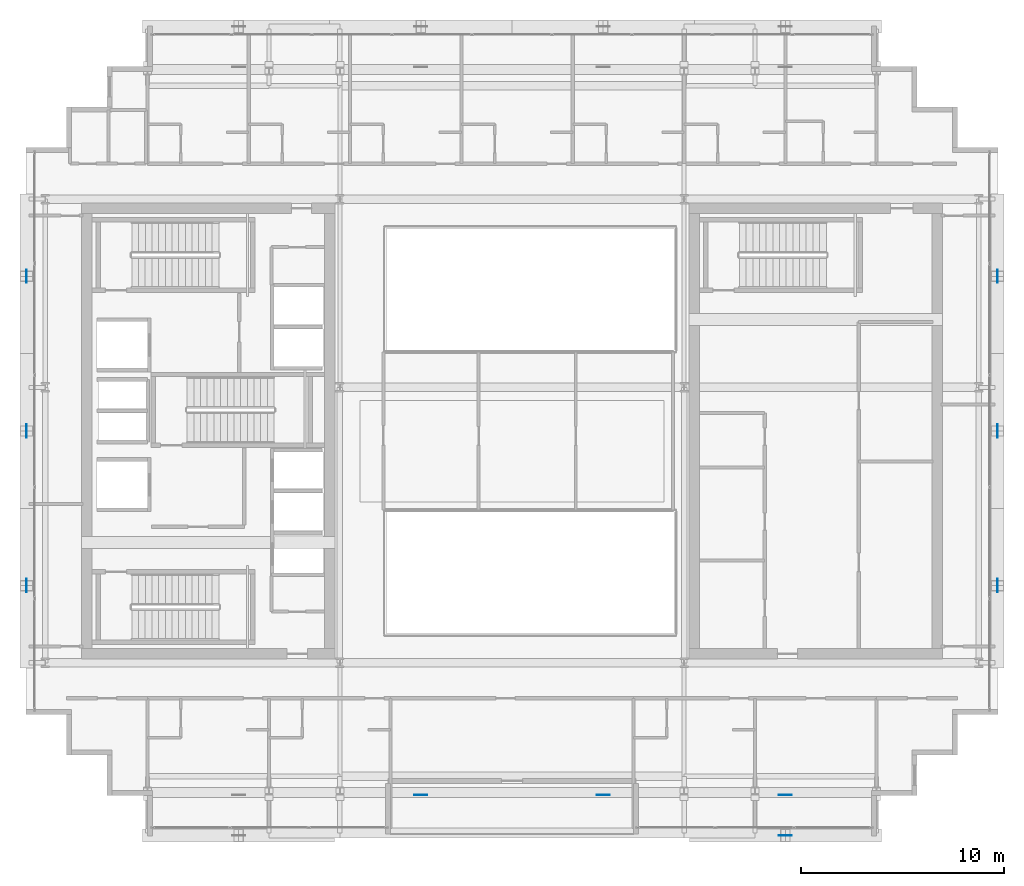
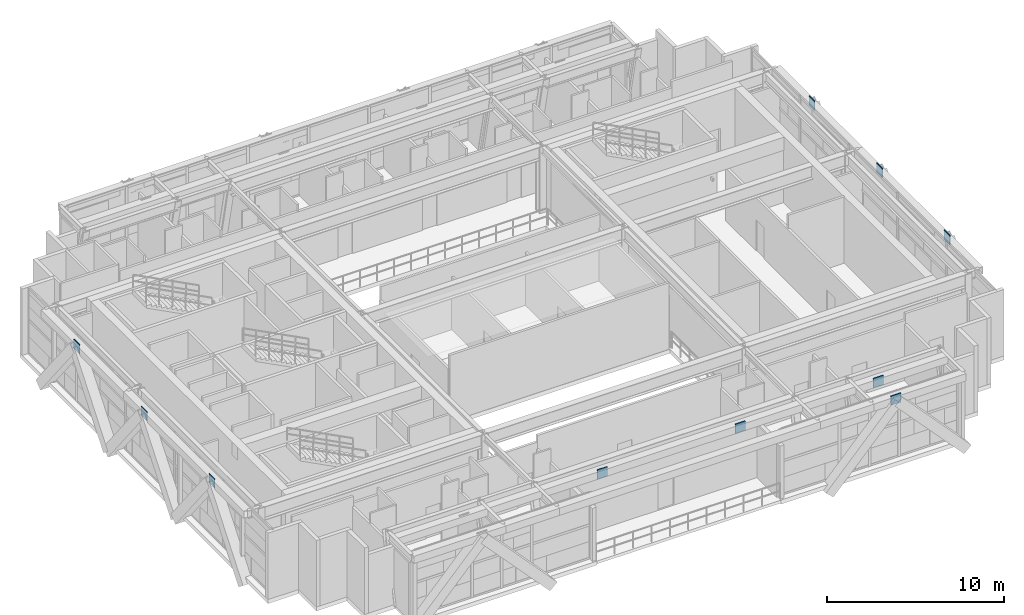
# One storey, part 22 of 31: 10 plates.
"""IFC4 building model written with IfcOpenShell, lengths in metres."""

from ifc_helpers import new_model, si_unit, direction, frame, origin, origin_2d, place, context, subcontext, project, spatial, rectangle, extrude, source, transform, mapped, material, layer, layer_set, type_object, element, save


model = new_model("IFC4")

# Units and contexts
model_context = context("Model", 3, precision=1e-05, world=origin(), true_north=direction((0.0, 1.0)))
body_context = subcontext(model_context, "Body", "Model", "MODEL_VIEW")
ifc_project = project(units=[si_unit("LENGTHUNIT", "METRE"), si_unit("AREAUNIT", "SQUARE_METRE"), si_unit("VOLUMEUNIT", "CUBIC_METRE"), si_unit("PLANEANGLEUNIT", "RADIAN"), si_unit("MASSUNIT", "GRAM", prefix="KILO")], contexts=[model_context])

# Site, building, storey
site_placement = place(None, origin())
site = spatial("IfcSite", under=ifc_project, at=site_placement, CompositionType="ELEMENT")
building_placement = place(site_placement, origin())
building = spatial("IfcBuilding", under=site, at=building_placement, Name="Ocotamira Hotel", CompositionType="ELEMENT")
storey_placement = place(building_placement, frame((0.0, 0.0, 228.0)))
storey = spatial("IfcBuildingStorey", under=building, at=storey_placement, Name="L57", CompositionType="ELEMENT", Elevation=228.0)

# Plates
ifc_material = material(Name="Pale-metal coated steel ASTM A572 Grade 50", Category="steel")
ifc_layer = layer(ifc_material, 0.0400390625)
ifc_layer_set = layer_set([ifc_layer], Name="Pale-metal coated steel ASTM A572 Grade 50")
plate_type = type_object("IfcPlateType", Name="PLT-GUSSET-40", PredefinedType="SHEET", material=ifc_layer_set)
shared_shape_1 = source(origin(), body_context, "Body", "SweptSolid", [
    extrude(rectangle(XDim=0.64990234375, YDim=0.0400390625, at=origin_2d()), origin(), (0.0, 0.0, 1.0), 0.64990234375),
])
for number, where, z_axis, x_axis, name in (
    (1, (45.5, 6.030029296875, 4.005126953125), (0.0, 0.0, 1.0), (1.0, 0.0, 0.0), "L57 Exoskeleton Diagrid S3.1 End Gusset B"),
    (2, (27.5, 8.030029296875, 4.005126953125), (0.0, 0.0, 1.0), (-1.0, 0.0, 0.0), "L57 Exoskeleton Diagrid S1.1 End Gusset A"),
    (3, (36.5, 8.030029296875, 4.005126953125), (0.0, 0.0, 1.0), (-1.0, 0.0, 0.0), "L57 Exoskeleton Diagrid S2.1 End Gusset A"),
    (4, (45.5, 8.030029296875, 4.005126953125), (0.0, 0.0, 1.0), (-1.0, 0.0, 0.0), "L57 Exoskeleton Diagrid S3.1 End Gusset A"),
):
    element("IfcPlate", number, at=place(storey_placement, frame(where, z_axis=z_axis, x_axis=x_axis)), inside=storey, type_object=plate_type, Name=name, PredefinedType="SHEET", context=body_context, shape_type="MappedRepresentation", body=[
        mapped(shared_shape_1, transform((0.0, 0.0, 0.0), scale=1.0)),
    ])
shared_shape_2 = source(origin(), body_context, "Body", "SweptSolid", [
    extrude(rectangle(XDim=0.0400390625, YDim=0.64990234375, at=origin_2d()), origin(), (0.0, 0.0, 1.0), 0.64990234375),
])
for number, where, z_axis, x_axis, name in (
    (5, (8.030029296875, 18.36669921875, 4.005126953125), (0.0, 0.0, 1.0), (1.0, 0.0, 0.0), "L57 Exoskeleton Diagrid W0.1 End Gusset B"),
    (6, (8.030029296875, 26.0, 4.005126953125), (0.0, 0.0, 1.0), (1.0, 0.0, 0.0), "L57 Exoskeleton Diagrid W1.1 End Gusset B"),
    (7, (8.030029296875, 33.63330078125, 4.005126953125), (0.0, 0.0, 1.0), (1.0, 0.0, 0.0), "L57 Exoskeleton Diagrid W2.1 End Gusset B"),
    (8, (55.969970703125, 18.36669921875, 4.005126953125), (0.0, 0.0, 1.0), (1.0, 0.0, 0.0), "L57 Exoskeleton Diagrid E0.1 End Gusset B"),
    (9, (55.969970703125, 26.0, 4.005126953125), (0.0, 0.0, 1.0), (1.0, 0.0, 0.0), "L57 Exoskeleton Diagrid E1.1 End Gusset B"),
    (10, (55.969970703125, 33.63330078125, 4.005126953125), (0.0, 0.0, 1.0), (1.0, 0.0, 0.0), "L57 Exoskeleton Diagrid E2.1 End Gusset B"),
):
    element("IfcPlate", number, at=place(storey_placement, frame(where, z_axis=z_axis, x_axis=x_axis)), inside=storey, type_object=plate_type, Name=name, PredefinedType="SHEET", context=body_context, shape_type="MappedRepresentation", body=[
        mapped(shared_shape_2, transform((0.0, 0.0, 0.0), scale=1.0)),
    ])

save(model, "model.ifc")
